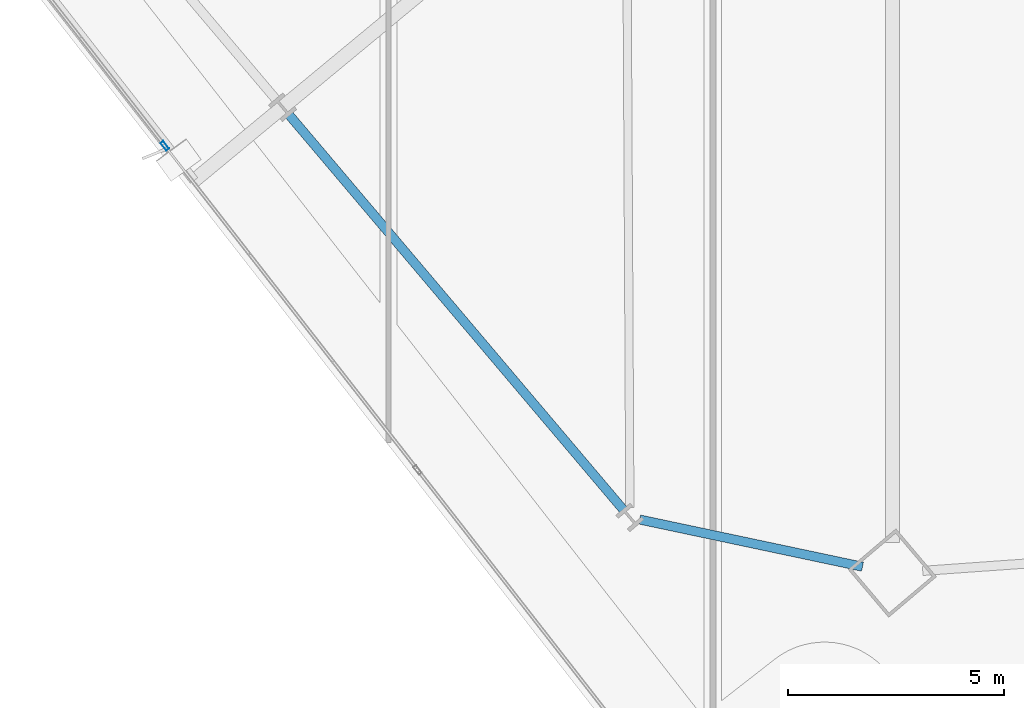
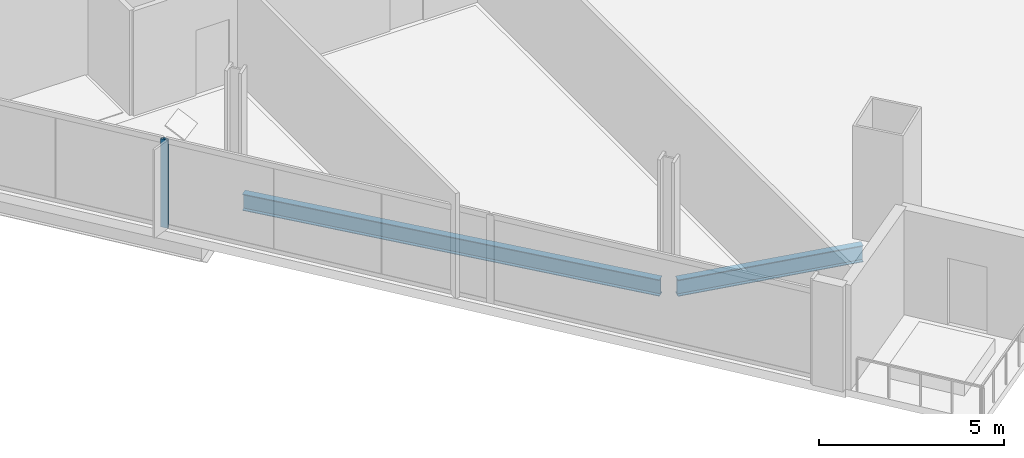
# One storey, part 3 of 32: 2 beams, 1 member, 1 element without a shape of its own.
"""IFC4 building model written with IfcOpenShell, lengths in metres."""

from ifc_helpers import new_model, si_unit, direction, frame, origin, origin_2d, place, context, subcontext, project, spatial, hollow_rectangle, i_section, extrude, material, material_profile, profile_set, type_object, element, aggregate, save


model = new_model("IFC4")

# Units and contexts
model_context = context("Model", 3, precision=1e-05, world=origin(), true_north=direction((0.0, 1.0)))
body_context = subcontext(model_context, "Body", "Model", "MODEL_VIEW")
ifc_project = project(units=[si_unit("LENGTHUNIT", "METRE"), si_unit("AREAUNIT", "SQUARE_METRE"), si_unit("VOLUMEUNIT", "CUBIC_METRE"), si_unit("PLANEANGLEUNIT", "RADIAN"), si_unit("MASSUNIT", "GRAM", prefix="KILO")], contexts=[model_context])

# Site, building, storey
site_placement = place(None, origin())
site = spatial("IfcSite", under=ifc_project, at=site_placement, CompositionType="ELEMENT")
building_placement = place(site_placement, origin())
building = spatial("IfcBuilding", under=site, at=building_placement, Name="Haldenkirk Collegiate Tower", CompositionType="ELEMENT")
storey_placement = place(building_placement, frame((0.0, 0.0, 155.699951171875)))
storey = spatial("IfcBuildingStorey", under=building, at=storey_placement, Name="L38", CompositionType="ELEMENT", Elevation=155.699951171875)

# Beams
ifc_material_1 = material(Name="Steel ASTM A992 Grade 50", Category="steel")
ifc_material_profile_1 = material_profile(ifc_material_1, i_section(OverallWidth=0.2119140625, OverallDepth=0.5439453125, WebThickness=0.01318359375, FlangeThickness=0.021240234375, at=origin_2d()), Name="W21X83")
ifc_profile_set_1 = profile_set([ifc_material_profile_1], Name="Steel ASTM A992 Grade 50")
beam_type = type_object("IfcBeamType", Name="BM-SPANDREL-W21X83", PredefinedType="SPANDREL", material=ifc_profile_set_1)
beam_1_placement = place(storey_placement, frame((19.202880859375, 11.250732421875, -0.56201171875), z_axis=(0.646115074743, -0.763240008248, 0.0), x_axis=(0.763240008248, 0.646115074743, 0.0)))
element("IfcBeam", 1, at=beam_1_placement, inside=storey, type_object=beam_type, Name="L38 perimeter spandrel beam 15", PredefinedType="SPANDREL", context=body_context, shape_type="SweptSolid", body=[
    extrude(i_section(OverallWidth=0.2119140625, OverallDepth=0.5439453125, WebThickness=0.01318359375, FlangeThickness=0.021240234375, at=origin_2d()), origin(), (0.0, 0.0, 1.0), 11.966796875),
])
beam_2_placement = place(storey_placement, frame((27.306884765625, 1.89501953125, -0.56201171875), z_axis=(0.978307627668, -0.207157393416, 0.0), x_axis=(0.207157393416, 0.978307627668, 0.0)))
element("IfcBeam", 2, at=beam_2_placement, inside=storey, type_object=beam_type, Name="L38 perimeter spandrel beam 16", PredefinedType="SPANDREL", context=body_context, shape_type="SweptSolid", body=[
    extrude(i_section(OverallWidth=0.2119140625, OverallDepth=0.5439453125, WebThickness=0.01318359375, FlangeThickness=0.021240234375, at=origin_2d()), origin(), (0.0, 0.0, 1.0), 5.266845703125),
])

# Curtain wall, member
ifc_material_2 = material(Name="Anodised architectural bronze aluminium", Category="aluminium")
curtain_wall_type = type_object("IfcCurtainWallType", Name="CW-SYS1-CONVEX-LOW", PredefinedType="USERDEFINED", material=ifc_material_2)
curtain_wall_placement = place(storey_placement, origin())
curtain_wall = element("IfcCurtainWall", 3, at=curtain_wall_placement, inside=storey, type_object=curtain_wall_type, Name="L38 Lower tower convex bronze-framed unitised curtain wall", ObjectType="UNITISED CURTAIN WALL", PredefinedType="USERDEFINED")
ifc_material_profile_2 = material_profile(ifc_material_2, hollow_rectangle(XDim=0.080078125, YDim=0.219970703125, WallThickness=0.0048828125, at=origin_2d()), Name="CW-MUL-1A")
ifc_profile_set_2 = profile_set([ifc_material_profile_2], Name="Anodised architectural bronze aluminium")
member_type = type_object("IfcMemberType", Name="CW-MUL-1A", PredefinedType="MULLION", material=ifc_profile_set_2)
member_placement = place(storey_placement, frame((16.33203125, 10.534423828125, 0.0), z_axis=(0.0, 0.0, 1.0), x_axis=(-0.788547532235, -0.614973811968, 0.0)))
member = element("IfcMember", 4, at=member_placement, type_object=member_type, Name="CW-1A mullion 3", PredefinedType="MULLION", context=body_context, shape_type="SweptSolid", body=[
    extrude(hollow_rectangle(XDim=0.080078125, YDim=0.219970703125, WallThickness=0.0048828125, at=origin_2d()), origin(), (0.0, 0.0, 1.0), 2.9111328125),
])
aggregate(curtain_wall, [member])

save(model, "model.ifc")
